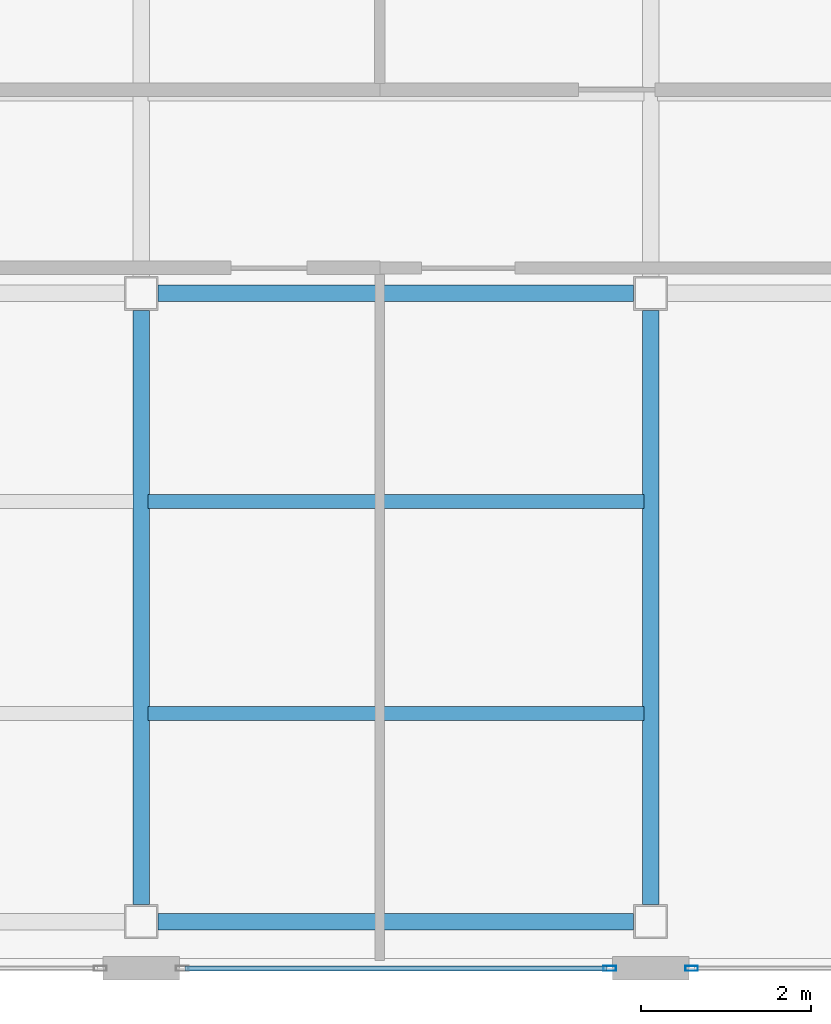
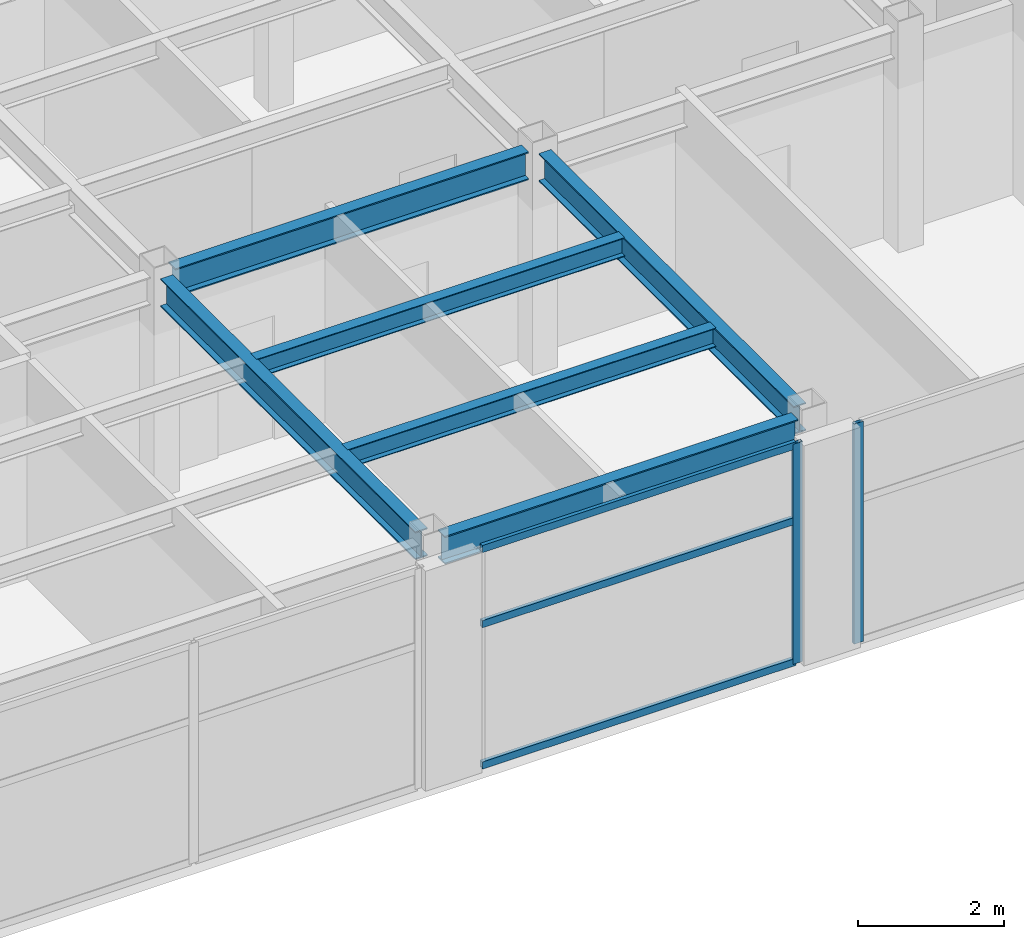
# One storey, part 5 of 14: 6 beams, 5 members, 2 elements without a shape of their own.
"""IFC4 building model written with IfcOpenShell, lengths in metres."""

from ifc_helpers import new_model, si_unit, direction, frame, origin, origin_2d, place, context, subcontext, project, spatial, hollow_rectangle, i_section, extrude, material, layer, layer_set, material_profile, profile_set, type_object, element, aggregate, save


model = new_model("IFC4")

# Units and contexts
model_context = context("Model", 3, precision=1e-05, world=origin(), true_north=direction((0.0, 1.0)))
body_context = subcontext(model_context, "Body", "Model", "MODEL_VIEW")
ifc_project = project(units=[si_unit("LENGTHUNIT", "METRE"), si_unit("AREAUNIT", "SQUARE_METRE"), si_unit("VOLUMEUNIT", "CUBIC_METRE"), si_unit("PLANEANGLEUNIT", "RADIAN"), si_unit("MASSUNIT", "GRAM", prefix="KILO")], contexts=[model_context])

# Site, building, storey
site_placement = place(None, origin())
site = spatial("IfcSite", under=ifc_project, at=site_placement, CompositionType="ELEMENT")
building_placement = place(site_placement, origin())
building = spatial("IfcBuilding", under=site, at=building_placement, Name="Mawjaban Terraces University", CompositionType="ELEMENT")
storey_placement = place(building_placement, frame((0.0, 0.0, 256.0)))
storey = spatial("IfcBuildingStorey", under=building, at=storey_placement, Name="L62", CompositionType="ELEMENT", Elevation=256.0)

# Beams
ifc_material_1 = material(Name="Steel ASTM A572 Grade 50", Category="steel")
ifc_material_profile_1 = material_profile(ifc_material_1, i_section(OverallWidth=0.194091796875, OverallDepth=0.468994140625, WebThickness=0.011474609375, FlangeThickness=0.0205078125, at=origin_2d()), Name="W460X106")
ifc_profile_set_1 = profile_set([ifc_material_profile_1], Name="Steel ASTM A572 Grade 50")
beam_type_1 = type_object("IfcBeamType", Name="Beam_B_W460X106", PredefinedType="BEAM", material=ifc_profile_set_1)
for number, where, z_axis, x_axis, name in (
    (1, (46.199951171875, 0.550048828125, 3.455078125), (1.0, 0.0, 0.0), (0.0, 1.0, 0.0), "L62 Beam BM-L62-EW-02"),
    (2, (46.199951171875, 7.949951171875, 3.455078125), (1.0, 0.0, 0.0), (0.0, 1.0, 0.0), "L62 Beam BM-L62-EW-04"),
):
    element("IfcBeam", number, at=place(storey_placement, frame(where, z_axis=z_axis, x_axis=x_axis)), inside=storey, type_object=beam_type_1, Name=name, PredefinedType="BEAM", context=body_context, shape_type="SweptSolid", body=[
        extrude(i_section(OverallWidth=0.194091796875, OverallDepth=0.468994140625, WebThickness=0.011474609375, FlangeThickness=0.0205078125, at=origin_2d()), origin(), (0.0, 0.0, 1.0), 5.60009765625),
    ])
for number, where, z_axis, x_axis, name in (
    (3, (46.0, 0.75, 3.455078125), (0.0, 1.0, 0.0), (-1.0, 0.0, 0.0), "L62 Beam BM-L62-NS-08"),
    (4, (52.0, 0.75, 3.455078125), (0.0, 1.0, 0.0), (-1.0, 0.0, 0.0), "L62 Beam BM-L62-NS-10"),
):
    element("IfcBeam", number, at=place(storey_placement, frame(where, z_axis=z_axis, x_axis=x_axis)), inside=storey, type_object=beam_type_1, Name=name, PredefinedType="BEAM", context=body_context, shape_type="SweptSolid", body=[
        extrude(i_section(OverallWidth=0.194091796875, OverallDepth=0.468994140625, WebThickness=0.011474609375, FlangeThickness=0.0205078125, at=origin_2d()), origin(), (0.0, 0.0, 1.0), 7.0),
    ])
ifc_material_profile_2 = material_profile(ifc_material_1, i_section(OverallWidth=0.1669921875, OverallDepth=0.318115234375, WebThickness=0.007568359375, FlangeThickness=0.01318359375, at=origin_2d()), Name="W310X52")
ifc_profile_set_2 = profile_set([ifc_material_profile_2], Name="Steel ASTM A572 Grade 50")
beam_type_2 = type_object("IfcBeamType", Name="Beam_J_W310X52", PredefinedType="JOIST", material=ifc_profile_set_2)
for number, where, z_axis, x_axis, name in (
    (5, (46.080078125, 3.0, 3.531005859375), (1.0, 0.0, 0.0), (0.0, 1.0, 0.0), "L62 Composite Joist JST-L62-02"),
    (6, (46.080078125, 5.5, 3.531005859375), (1.0, 0.0, 0.0), (0.0, 1.0, 0.0), "L62 Composite Joist JST-L62-04"),
):
    element("IfcBeam", number, at=place(storey_placement, frame(where, z_axis=z_axis, x_axis=x_axis)), inside=storey, type_object=beam_type_2, Name=name, PredefinedType="JOIST", context=body_context, shape_type="SweptSolid", body=[
        extrude(i_section(OverallWidth=0.1669921875, OverallDepth=0.318115234375, WebThickness=0.007568359375, FlangeThickness=0.01318359375, at=origin_2d()), origin(), (0.0, 0.0, 1.0), 5.83984375),
    ])

# Curtain wall, member
ifc_material_2 = material(Name="Anodised aluminium 6063-T6 and solar-control low-E glass", Category="aluminium")
ifc_layer = layer(ifc_material_2, 0.159912109375)
ifc_layer_set = layer_set([ifc_layer], Name="Anodised aluminium 6063-T6 and solar-control low-E glass")
curtain_wall_type = type_object("IfcCurtainWallType", Name="CWSystem_03_NorthWing", PredefinedType="NOTDEFINED", material=ifc_layer_set)
curtain_wall_1_placement = place(storey_placement, origin())
curtain_wall_1 = element("IfcCurtainWall", 7, at=curtain_wall_1_placement, inside=storey, type_object=curtain_wall_type, Name="L62 Curtain Wall CW-03 Run 1.4", PredefinedType="NOTDEFINED")
ifc_material_3 = material(Name="Anodised aluminium 6063-T6", Category="aluminium")
ifc_material_profile_3 = material_profile(ifc_material_3, hollow_rectangle(XDim=0.06005859375, YDim=0.14990234375, WallThickness=0.00390625, at=origin_2d()), Name="ALU150X60X4")
ifc_profile_set_3 = profile_set([ifc_material_profile_3], Name="Anodised aluminium 6063-T6")
member_type_1 = type_object("IfcMemberType", Name="Mullion_CW-03", PredefinedType="MULLION", material=ifc_profile_set_3)
member_1_placement = place(storey_placement, frame((51.517578125, 0.0, 0.0), z_axis=(0.0, 0.0, 1.0), x_axis=(0.0, 1.0, 0.0)))
member_1 = element("IfcMember", 8, at=member_1_placement, type_object=member_type_1, Name="CW-03 mullion 2", PredefinedType="MULLION", context=body_context, shape_type="SweptSolid", body=[
    extrude(hollow_rectangle(XDim=0.06005859375, YDim=0.14990234375, WallThickness=0.00390625, at=origin_2d()), origin(), (0.0, 0.0, 1.0), 3.68994140625),
])

curtain_wall_2_placement = place(storey_placement, origin())
curtain_wall_2 = element("IfcCurtainWall", 9, at=curtain_wall_2_placement, inside=storey, type_object=curtain_wall_type, Name="L62 Curtain Wall CW-03 Run 1.5", PredefinedType="NOTDEFINED")
member_2_placement = place(storey_placement, frame((52.482421875, 0.0, 0.0), z_axis=(0.0, 0.0, 1.0), x_axis=(0.0, 1.0, 0.0)))
member_2 = element("IfcMember", 10, at=member_2_placement, type_object=member_type_1, Name="CW-03 mullion 1", PredefinedType="MULLION", context=body_context, shape_type="SweptSolid", body=[
    extrude(hollow_rectangle(XDim=0.06005859375, YDim=0.14990234375, WallThickness=0.00390625, at=origin_2d()), origin(), (0.0, 0.0, 1.0), 3.68994140625),
])
aggregate(curtain_wall_2, [member_2])

# Member
ifc_material_profile_4 = material_profile(ifc_material_3, hollow_rectangle(XDim=0.06005859375, YDim=0.1201171875, WallThickness=0.00341796875, at=origin_2d()), Name="ALU120X60X3.5")
ifc_profile_set_4 = profile_set([ifc_material_profile_4], Name="Anodised aluminium 6063-T6")
member_type_2 = type_object("IfcMemberType", Name="Transom_CW-03", PredefinedType="NOTDEFINED", material=ifc_profile_set_4)
member_3_placement = place(storey_placement, frame((46.514892578125, 0.0, 0.030029296875), z_axis=(1.0, 0.0, 0.0), x_axis=(0.0, 1.0, 0.0)))
member_3 = element("IfcMember", 11, at=member_3_placement, type_object=member_type_2, Name="CW-03 transom 1.1", ObjectType="TRANSOM", PredefinedType="USERDEFINED", context=body_context, shape_type="SweptSolid", body=[
    extrude(hollow_rectangle(XDim=0.06005859375, YDim=0.1201171875, WallThickness=0.00341796875, at=origin_2d()), origin(), (0.0, 0.0, 1.0), 4.97021484375),
])

member_4_placement = place(storey_placement, frame((46.514892578125, 0.0, 2.39892578125), z_axis=(1.0, 0.0, 0.0), x_axis=(0.0, 1.0, 0.0)))
member_4 = element("IfcMember", 12, at=member_4_placement, type_object=member_type_2, Name="CW-03 transom 1.2", ObjectType="TRANSOM", PredefinedType="USERDEFINED", context=body_context, shape_type="SweptSolid", body=[
    extrude(hollow_rectangle(XDim=0.06005859375, YDim=0.1201171875, WallThickness=0.00341796875, at=origin_2d()), origin(), (0.0, 0.0, 1.0), 4.97021484375),
])

member_5_placement = place(storey_placement, frame((46.514892578125, 0.0, 3.659912109375), z_axis=(1.0, 0.0, 0.0), x_axis=(0.0, 1.0, 0.0)))
member_5 = element("IfcMember", 13, at=member_5_placement, type_object=member_type_2, Name="CW-03 transom 1.3", ObjectType="TRANSOM", PredefinedType="USERDEFINED", context=body_context, shape_type="SweptSolid", body=[
    extrude(hollow_rectangle(XDim=0.06005859375, YDim=0.1201171875, WallThickness=0.00341796875, at=origin_2d()), origin(), (0.0, 0.0, 1.0), 4.97021484375),
])

aggregate(curtain_wall_1, [member_1, member_3, member_4, member_5])

save(model, "model.ifc")
